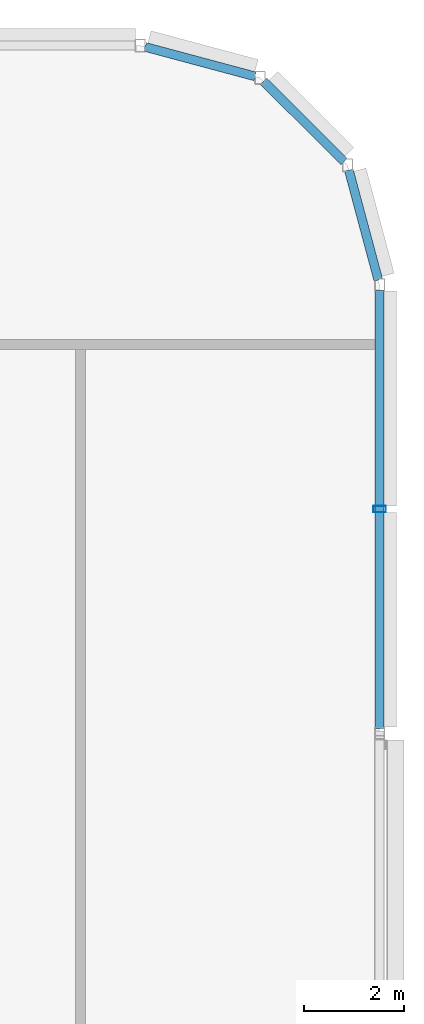
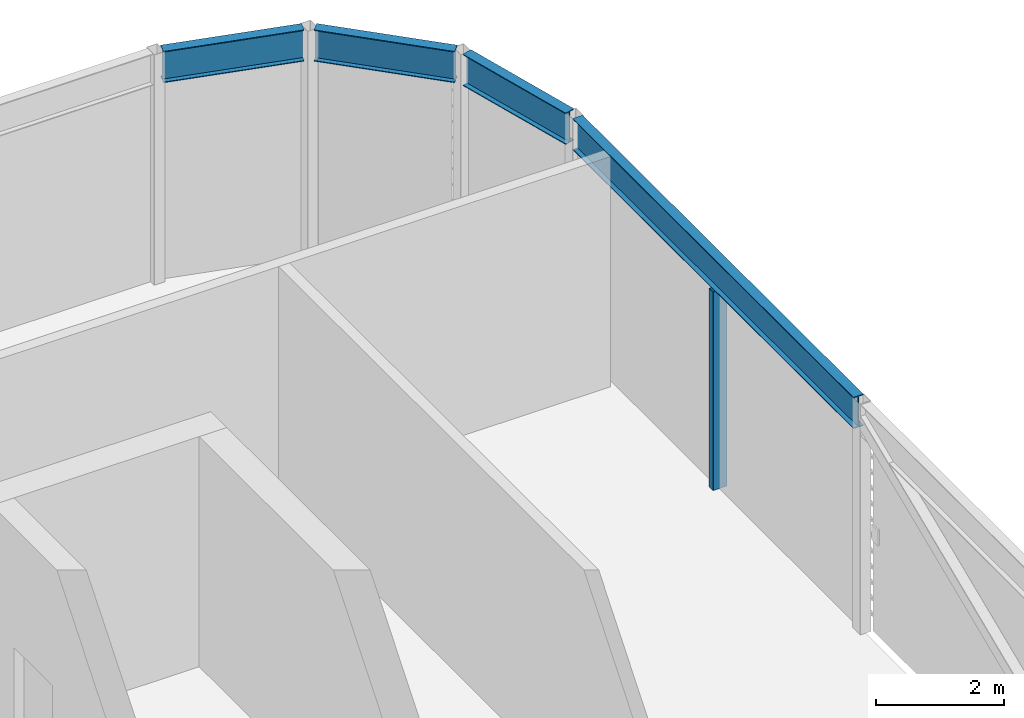
# One storey, part 14 of 27: 4 beams, 1 member.
"""IFC4 building model written with IfcOpenShell, lengths in metres."""

from ifc_helpers import new_model, si_unit, direction, frame, origin, origin_2d, place, context, subcontext, project, spatial, hollow_rectangle, i_section, extrude, material, material_profile, profile_set, type_object, element, save


model = new_model("IFC4")

# Units and contexts
model_context = context("Model", 3, precision=1e-05, world=origin(), true_north=direction((0.0, 1.0)))
body_context = subcontext(model_context, "Body", "Model", "MODEL_VIEW")
ifc_project = project(units=[si_unit("LENGTHUNIT", "METRE"), si_unit("AREAUNIT", "SQUARE_METRE"), si_unit("VOLUMEUNIT", "CUBIC_METRE"), si_unit("PLANEANGLEUNIT", "RADIAN"), si_unit("MASSUNIT", "GRAM", prefix="KILO")], contexts=[model_context])

# Site, building, storey
site_placement = place(None, origin())
site = spatial("IfcSite", under=ifc_project, at=site_placement, CompositionType="ELEMENT")
building_placement = place(site_placement, origin())
building = spatial("IfcBuilding", under=site, at=building_placement, Name="Madar Terraces", CompositionType="ELEMENT")
storey_placement = place(building_placement, frame((0.0, 0.0, 301.10009765625)))
storey = spatial("IfcBuildingStorey", under=building, at=storey_placement, Name="L78", CompositionType="ELEMENT", Elevation=301.10009765625)

# Beams
ifc_material_1 = material(Name="Steel ASTM A992 Grade 50", Category="steel")
ifc_material_profile_1 = material_profile(ifc_material_1, i_section(OverallWidth=0.1787109375, OverallDepth=0.60205078125, WebThickness=0.010986328125, FlangeThickness=0.014892578125, at=origin_2d()), Name="W24x62")
ifc_profile_set_1 = profile_set([ifc_material_profile_1], Name="Steel ASTM A992 Grade 50")
beam_type = type_object("IfcBeamType", Name="CF2 W24x62", PredefinedType="BEAM", material=ifc_profile_set_1)
beam_1_placement = place(storey_placement, frame((56.39990234375, 33.1015625, 4.098876953125), z_axis=(0.0, 1.0, 0.0), x_axis=(-1.0, 0.0, 0.0)))
element("IfcBeam", 1, at=beam_1_placement, inside=storey, type_object=beam_type, Name="Crown frame ring beam CF2", PredefinedType="BEAM", context=body_context, shape_type="SweptSolid", body=[
    extrude(i_section(OverallWidth=0.1787109375, OverallDepth=0.60205078125, WebThickness=0.010986328125, FlangeThickness=0.014892578125, at=origin_2d()), origin(), (0.0, 0.0, 1.0), 8.796875),
])
beam_2_placement = place(storey_placement, frame((56.373779296875, 42.09814453125, 4.098876953125), z_axis=(-0.258868028067, 0.965912700012, 0.0), x_axis=(-0.965912700012, -0.258868028067, 0.0)))
element("IfcBeam", 2, at=beam_2_placement, inside=storey, type_object=beam_type, Name="Crown frame ring beam CF2", PredefinedType="BEAM", context=body_context, shape_type="SweptSolid", body=[
    extrude(i_section(OverallWidth=0.1787109375, OverallDepth=0.60205078125, WebThickness=0.010986328125, FlangeThickness=0.014892578125, at=origin_2d()), origin(), (0.0, 0.0, 1.0), 2.281494140625),
])
beam_3_placement = place(storey_placement, frame((55.68505859375, 44.471923828125, 4.098876953125), z_axis=(-0.707160287053, 0.707053271271, 0.0), x_axis=(-0.707053271271, -0.707160287053, 0.0)))
element("IfcBeam", 3, at=beam_3_placement, inside=storey, type_object=beam_type, Name="Crown frame ring beam CF2", PredefinedType="BEAM", context=body_context, shape_type="SweptSolid", body=[
    extrude(i_section(OverallWidth=0.1787109375, OverallDepth=0.60205078125, WebThickness=0.010986328125, FlangeThickness=0.014892578125, at=origin_2d()), origin(), (0.0, 0.0, 1.0), 2.28125),
])
beam_4_placement = place(storey_placement, frame((53.90185546875, 46.18310546875, 4.098876953125), z_axis=(-0.965912700012, 0.258868028067, 0.0), x_axis=(-0.258868028067, -0.965912700012, 0.0)))
element("IfcBeam", 4, at=beam_4_placement, inside=storey, type_object=beam_type, Name="Crown frame ring beam CF2", PredefinedType="BEAM", context=body_context, shape_type="SweptSolid", body=[
    extrude(i_section(OverallWidth=0.1787109375, OverallDepth=0.60205078125, WebThickness=0.010986328125, FlangeThickness=0.014892578125, at=origin_2d()), origin(), (0.0, 0.0, 1.0), 2.281494140625),
])

# Member
ifc_material_2 = material(Name="Steel ASTM A500 Grade C", Category="steel")
ifc_material_profile_2 = material_profile(ifc_material_2, hollow_rectangle(XDim=0.126953125, YDim=0.25390625, WallThickness=0.00634765625, InnerFilletRadius=0.0029296875, OuterFilletRadius=0.0087890625, at=origin_2d()), Name="HSS10x5x.25")
ifc_profile_set_2 = profile_set([ifc_material_profile_2], Name="Steel ASTM A500 Grade C")
member_type = type_object("IfcMemberType", Name="LS2 HSS10x5x.25", PredefinedType="POST", material=ifc_profile_set_2)
member_placement = place(storey_placement, frame((56.39990234375, 37.5, 0.0), z_axis=(0.0, 0.0, 1.0), x_axis=(0.0, 1.0, 0.0)))
element("IfcMember", 5, at=member_placement, inside=storey, type_object=member_type, Name="Crown louvre post LS2", PredefinedType="POST", context=body_context, shape_type="SweptSolid", body=[
    extrude(hollow_rectangle(XDim=0.126953125, YDim=0.25390625, WallThickness=0.00634765625, InnerFilletRadius=0.0029296875, OuterFilletRadius=0.0087890625, at=origin_2d()), origin(), (0.0, 0.0, 1.0), 3.7978515625),
])

save(model, "model.ifc")
